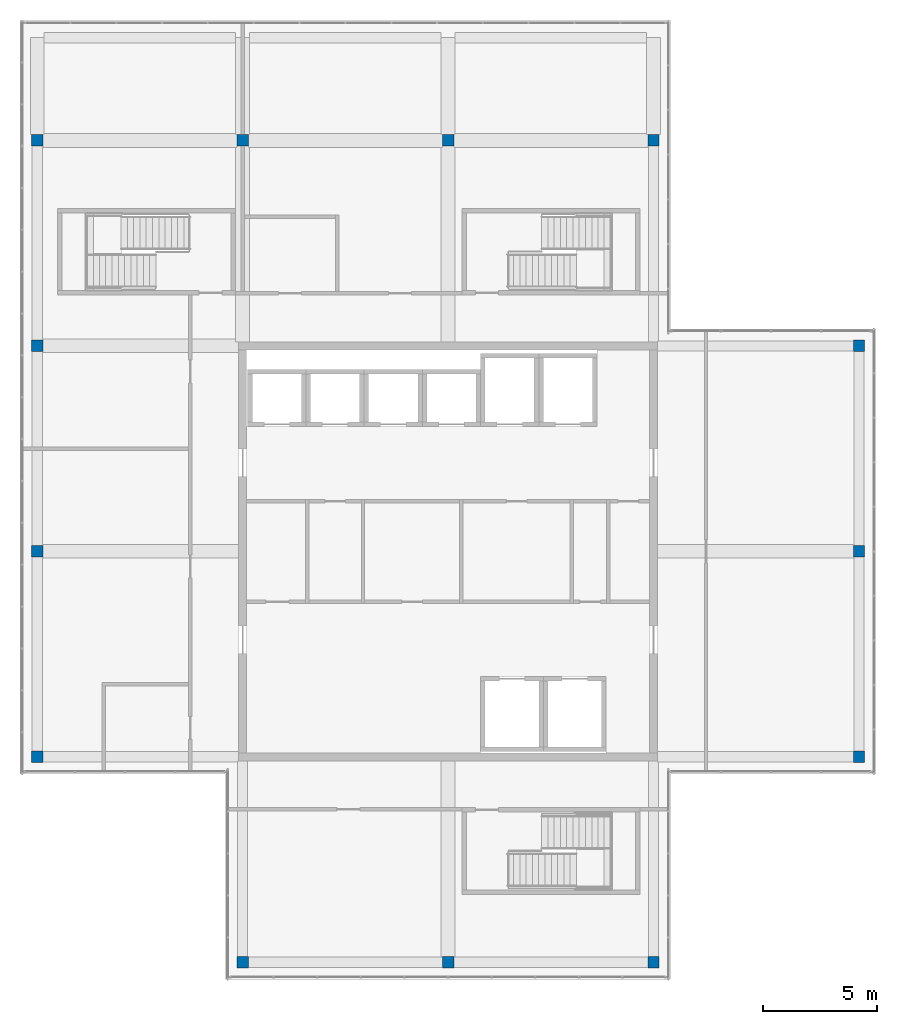
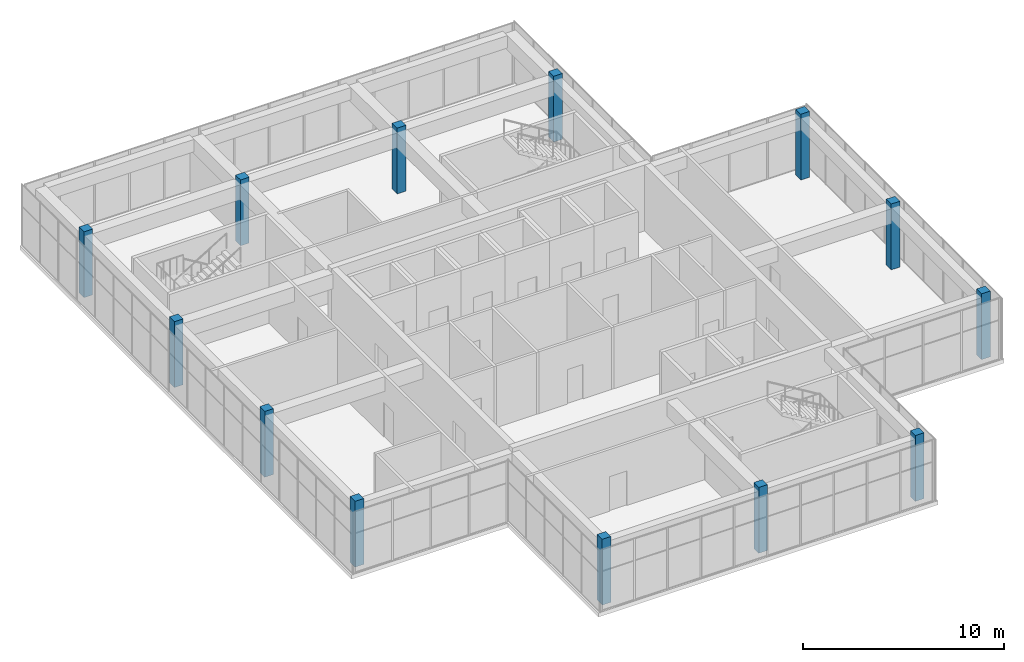
# One storey, part 1 of 34: 13 columns.
"""IFC4 building model written with IfcOpenShell, lengths in metres."""

from ifc_helpers import new_model, si_unit, direction, frame, origin, origin_2d, place, context, subcontext, project, spatial, rectangle, extrude, material, material_profile, profile_set, type_object, element, save


model = new_model("IFC4")

# Units and contexts
model_context = context("Model", 3, precision=1e-05, world=origin(), true_north=direction((0.0, 1.0)))
body_context = subcontext(model_context, "Body", "Model", "MODEL_VIEW")
ifc_project = project(units=[si_unit("LENGTHUNIT", "METRE"), si_unit("AREAUNIT", "SQUARE_METRE"), si_unit("VOLUMEUNIT", "CUBIC_METRE"), si_unit("PLANEANGLEUNIT", "RADIAN"), si_unit("MASSUNIT", "GRAM", prefix="KILO")], contexts=[model_context])

# Site, building, storey
site_placement = place(None, origin())
site = spatial("IfcSite", under=ifc_project, at=site_placement, CompositionType="ELEMENT")
building_placement = place(site_placement, origin())
building = spatial("IfcBuilding", under=site, at=building_placement, Name="Tuart Plaza Theatre", CompositionType="ELEMENT")
storey_placement = place(building_placement, frame((0.0, 0.0, 57.5)))
storey = spatial("IfcBuildingStorey", under=building, at=storey_placement, Name="L14", CompositionType="ELEMENT", Elevation=57.5)

# Columns
ifc_material = material(Name="Concrete N40 (40 MPa)", Category="concrete")
ifc_material_profile = material_profile(ifc_material, rectangle(XDim=0.5, YDim=0.5, at=origin_2d()), Name="COLUMN 500x500 Concrete N40 (40 MPa)")
ifc_profile_set = profile_set([ifc_material_profile], Name="Concrete N40 (40 MPa)")
column_type = type_object("IfcColumnType", Name="COLUMN 500x500 Concrete N40 (40 MPa)", PredefinedType="COLUMN", material=ifc_profile_set)
for number, where, z_axis, x_axis, name in (
    (1, (114.0, 65.0, 0.0), (0.0, 0.0, 1.0), (1.0, 0.0, 0.0), "C93"),
    (2, (114.0, 74.0, 0.0), (0.0, 0.0, 1.0), (1.0, 0.0, 0.0), "C94"),
    (3, (114.0, 83.0, 0.0), (0.0, 0.0, 1.0), (1.0, 0.0, 0.0), "C95"),
    (4, (114.0, 92.0, 0.0), (0.0, 0.0, 1.0), (1.0, 0.0, 0.0), "C96"),
    (5, (123.0, 56.0, 0.0), (0.0, 0.0, 1.0), (1.0, 0.0, 0.0), "C97"),
    (6, (123.0, 92.0, 0.0), (0.0, 0.0, 1.0), (1.0, 0.0, 0.0), "C98"),
    (7, (132.0, 56.0, 0.0), (0.0, 0.0, 1.0), (1.0, 0.0, 0.0), "C99"),
    (8, (132.0, 92.0, 0.0), (0.0, 0.0, 1.0), (1.0, 0.0, 0.0), "C100"),
    (9, (141.0, 56.0, 0.0), (0.0, 0.0, 1.0), (1.0, 0.0, 0.0), "C101"),
    (10, (141.0, 92.0, 0.0), (0.0, 0.0, 1.0), (1.0, 0.0, 0.0), "C102"),
    (11, (150.0, 65.0, 0.0), (0.0, 0.0, 1.0), (1.0, 0.0, 0.0), "C103"),
    (12, (150.0, 74.0, 0.0), (0.0, 0.0, 1.0), (1.0, 0.0, 0.0), "C104"),
    (13, (150.0, 83.0, 0.0), (0.0, 0.0, 1.0), (1.0, 0.0, 0.0), "C105"),
):
    element("IfcColumn", number, at=place(storey_placement, frame(where, z_axis=z_axis, x_axis=x_axis)), inside=storey, type_object=column_type, Name=name, PredefinedType="COLUMN", context=body_context, shape_type="SweptSolid", body=[
        extrude(rectangle(XDim=0.5, YDim=0.5, at=origin_2d()), origin(), (0.0, 0.0, 1.0), 4.0),
    ])

save(model, "model.ifc")
